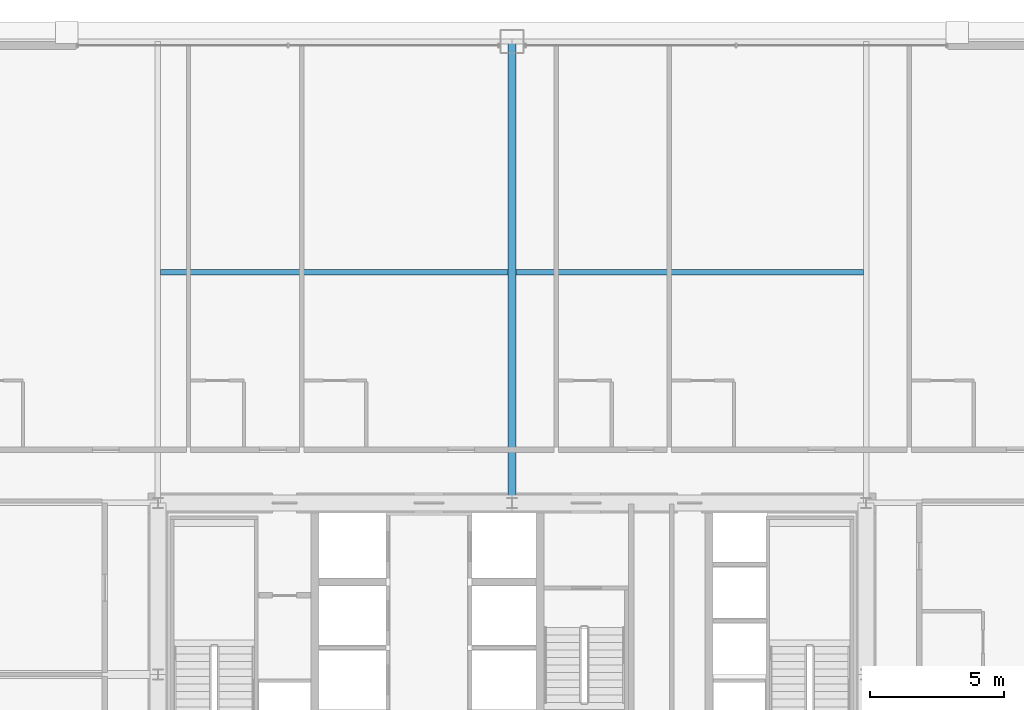
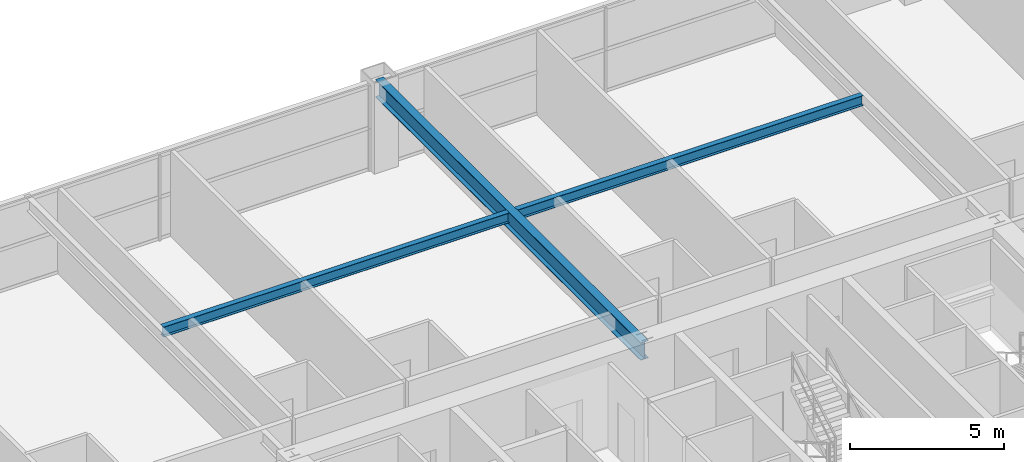
# One storey, part 26 of 39: 3 beams.
"""IFC4 building model written with IfcOpenShell, lengths in metres."""

from ifc_helpers import new_model, si_unit, direction, frame, origin, origin_2d, place, context, subcontext, project, spatial, i_section, extrude, source, transform, mapped, material, material_profile, profile_set, type_object, element, save


model = new_model("IFC4")

# Units and contexts
model_context = context("Model", 3, precision=1e-05, world=origin(), true_north=direction((0.0, 1.0)))
body_context = subcontext(model_context, "Body", "Model", "MODEL_VIEW")
ifc_project = project(units=[si_unit("LENGTHUNIT", "METRE"), si_unit("AREAUNIT", "SQUARE_METRE"), si_unit("VOLUMEUNIT", "CUBIC_METRE"), si_unit("PLANEANGLEUNIT", "RADIAN"), si_unit("MASSUNIT", "GRAM", prefix="KILO"), si_unit("THERMODYNAMICTEMPERATUREUNIT", "KELVIN"), si_unit("POWERUNIT", "WATT")], contexts=[model_context])

# Site, building, storey
site_placement = place(None, origin())
site = spatial("IfcSite", under=ifc_project, at=site_placement, CompositionType="ELEMENT")
building_placement = place(site_placement, origin())
building = spatial("IfcBuilding", under=site, at=building_placement, Name="Yuzanri Waterfront Tower", CompositionType="ELEMENT")
storey_placement = place(building_placement, frame((0.0, 0.0, 148.800048828125)))
storey = spatial("IfcBuildingStorey", under=building, at=storey_placement, Name="L39", CompositionType="ELEMENT", Elevation=148.800048828125)

# Beams
ifc_material_1 = material(Name="Steel Q355B", Category="steel")
ifc_material_profile_1 = material_profile(ifc_material_1, i_section(OverallWidth=0.199951171875, OverallDepth=0.39990234375, WebThickness=0.008056640625, FlangeThickness=0.012939453125, at=origin_2d()), Name="HN 400x200x8x13")
ifc_profile_set_1 = profile_set([ifc_material_profile_1], Name="Steel Q355B")
beam_type_1 = type_object("IfcBeamType", Name="Floor Joist Q355B HN 400x200", PredefinedType="JOIST", material=ifc_profile_set_1)
shared_shape_1 = source(origin(), body_context, "Body", "SweptSolid", [
    extrude(i_section(OverallWidth=0.199951171875, OverallDepth=0.39990234375, WebThickness=0.008056640625, FlangeThickness=0.012939453125, at=origin_2d()), origin(), (0.0, 0.0, 1.0), 12.9501953125),
])
for number, where, z_axis, x_axis, name in (
    (1, (23.89990234375, 40.800048828125, 3.179931640625), (1.0, 0.0, 0.0), (0.0, 1.0, 0.0), "L39 North Bay Joist W"),
    (2, (37.14990234375, 40.800048828125, 3.179931640625), (1.0, 0.0, 0.0), (0.0, 1.0, 0.0), "L39 North Bay Joist E"),
):
    element("IfcBeam", number, at=place(storey_placement, frame(where, z_axis=z_axis, x_axis=x_axis)), inside=storey, type_object=beam_type_1, Name=name, PredefinedType="JOIST", context=body_context, shape_type="MappedRepresentation", body=[
        mapped(shared_shape_1, transform((0.0, 0.0, 0.0), scale=1.0)),
    ])
ifc_material_2 = material(Name="Steel Q355B", Category="steel")
ifc_material_profile_2 = material_profile(ifc_material_2, i_section(OverallWidth=0.300048828125, OverallDepth=0.699951171875, WebThickness=0.012939453125, FlangeThickness=0.02392578125, at=origin_2d()), Name="HN 700x300x13x24")
ifc_profile_set_2 = profile_set([ifc_material_profile_2], Name="Steel Q355B")
beam_type_2 = type_object("IfcBeamType", Name="Primary Floor Girder Q355B HN 700x300", PredefinedType="BEAM", material=ifc_profile_set_2)
shared_shape_2 = source(origin(), body_context, "Body", "SweptSolid", [
    extrude(i_section(OverallWidth=0.300048828125, OverallDepth=0.699951171875, WebThickness=0.012939453125, FlangeThickness=0.02392578125, at=origin_2d()), origin(), (0.0, 0.0, 1.0), 17.199951171875),
])
beam_placement = place(storey_placement, frame((37.0, 32.199951171875, 3.030029296875), z_axis=(0.0, 1.0, 0.0), x_axis=(-1.0, 0.0, 0.0)))
element("IfcBeam", 3, at=beam_placement, inside=storey, type_object=beam_type_2, Name="L39 North Grid Girder", PredefinedType="BEAM", context=body_context, shape_type="MappedRepresentation", body=[
    mapped(shared_shape_2, transform((0.0, 0.0, 0.0), scale=1.0)),
])

save(model, "model.ifc")
